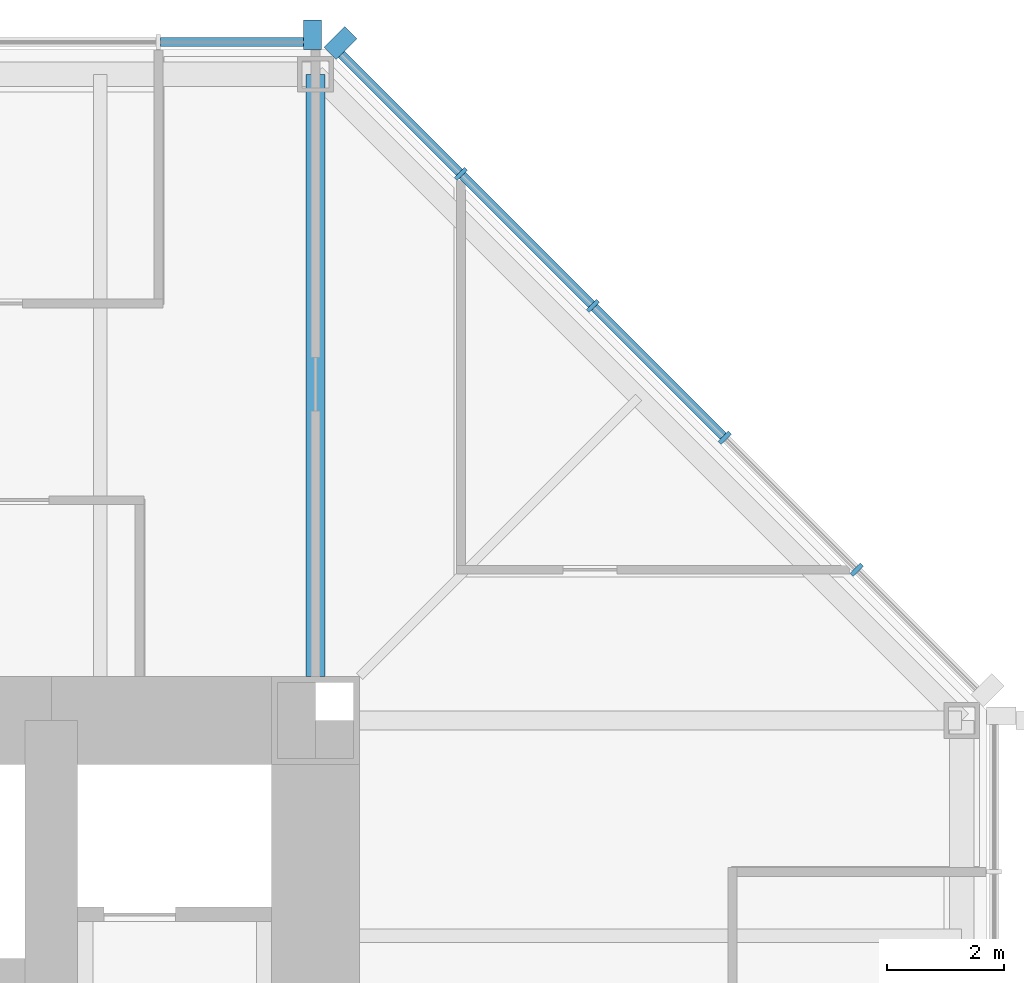
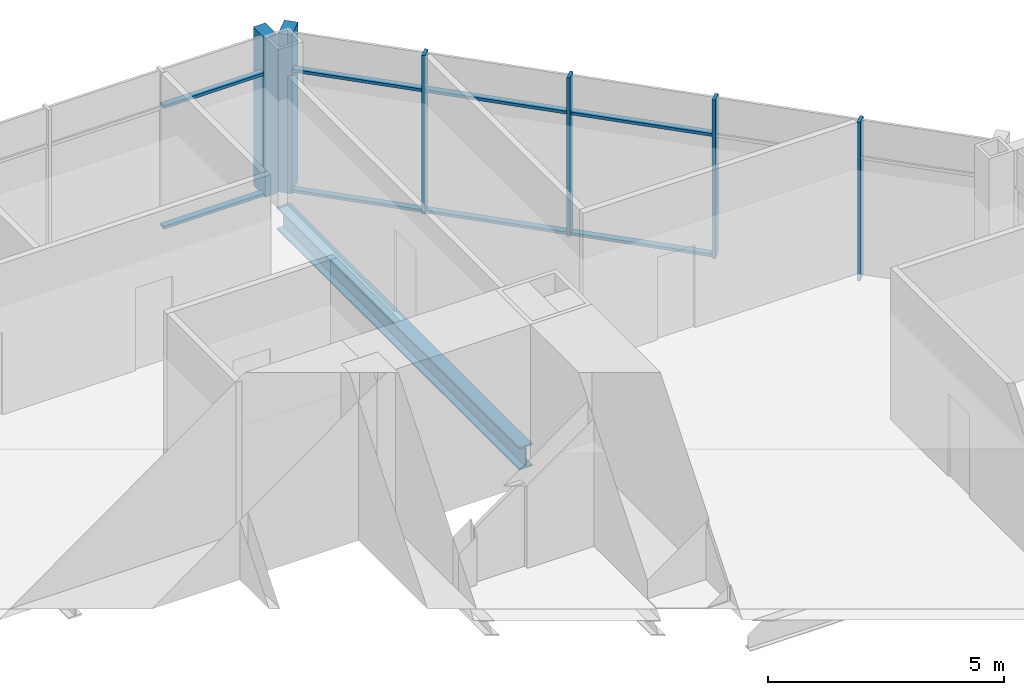
# One storey, part 6 of 12: 14 members, 1 beam, 2 elements without a shape of their own.
"""IFC4 building model written with IfcOpenShell, lengths in metres."""

from ifc_helpers import new_model, si_unit, direction, frame, origin, origin_2d, place, context, subcontext, project, spatial, rectangle, i_section, extrude, material, material_profile, profile_set, type_object, element, aggregate, save


model = new_model("IFC4")

# Units and contexts
model_context = context("Model", 3, precision=1e-05, world=origin(), true_north=direction((0.0, 1.0)))
body_context = subcontext(model_context, "Body", "Model", "MODEL_VIEW")
ifc_project = project(units=[si_unit("LENGTHUNIT", "METRE"), si_unit("AREAUNIT", "SQUARE_METRE"), si_unit("VOLUMEUNIT", "CUBIC_METRE"), si_unit("PLANEANGLEUNIT", "RADIAN"), si_unit("MASSUNIT", "GRAM", prefix="KILO")], contexts=[model_context])

# Site, building, storey
site_placement = place(None, origin())
site = spatial("IfcSite", under=ifc_project, at=site_placement, CompositionType="ELEMENT")
building_placement = place(site_placement, origin())
building = spatial("IfcBuilding", under=site, at=building_placement, Name="Trevanion Tower", CompositionType="ELEMENT")
storey_placement = place(building_placement, frame((0.0, 0.0, 170.5)))
storey = spatial("IfcBuildingStorey", under=building, at=storey_placement, Name="L40", CompositionType="ELEMENT", Elevation=170.5)

# Curtain wall, members
ifc_material_1 = material(Name="Aluminium and glass", Category="aluminium")
curtain_wall_type = type_object("IfcCurtainWallType", Name="CW2 curtain wall", PredefinedType="USERDEFINED", material=ifc_material_1)
curtain_wall_1_placement = place(storey_placement, origin())
curtain_wall_1 = element("IfcCurtainWall", 1, at=curtain_wall_1_placement, inside=storey, type_object=curtain_wall_type, Name="CW2 L40 1", ObjectType="UNITISED CURTAIN WALL", PredefinedType="USERDEFINED")
ifc_material_2 = material(Name="Aluminium extrusion, anodised bronze", Category="aluminium")
ifc_material_profile_1 = material_profile(ifc_material_2, rectangle(XDim=0.074951171875, YDim=0.25, at=origin_2d()), Name="CW2 mullion")
ifc_profile_set_1 = profile_set([ifc_material_profile_1], Name="Aluminium extrusion, anodised bronze")
member_type_1 = type_object("IfcMemberType", Name="CW2 mullion", PredefinedType="MULLION", material=ifc_profile_set_1)
member_1_placement = place(storey_placement, frame((20.2119140625, 13.56591796875, -0.18994140625), z_axis=(0.0, 0.0, 1.0), x_axis=(-0.707106781187, 0.707106781187, 0.0)))
member_1 = element("IfcMember", 2, at=member_1_placement, type_object=member_type_1, Name="CW2 mullion 2", PredefinedType="MULLION", context=body_context, shape_type="SweptSolid", body=[
    extrude(rectangle(XDim=0.074951171875, YDim=0.25, at=origin_2d()), origin(), (0.0, 0.0, 1.0), 4.099853515625),
])
member_2_placement = place(storey_placement, frame((17.966064453125, 15.811767578125, -0.18994140625), z_axis=(0.0, 0.0, 1.0), x_axis=(-0.707106781187, 0.707106781187, 0.0)))
member_2 = element("IfcMember", 3, at=member_2_placement, type_object=member_type_1, Name="CW2 mullion 3", PredefinedType="MULLION", context=body_context, shape_type="SweptSolid", body=[
    extrude(rectangle(XDim=0.074951171875, YDim=0.25, at=origin_2d()), origin(), (0.0, 0.0, 1.0), 4.099853515625),
])
member_3_placement = place(storey_placement, frame((15.719970703125, 18.057861328125, -0.18994140625), z_axis=(0.0, 0.0, 1.0), x_axis=(-0.707106781187, 0.707106781187, 0.0)))
member_3 = element("IfcMember", 4, at=member_3_placement, type_object=member_type_1, Name="CW2 mullion 4", PredefinedType="MULLION", context=body_context, shape_type="SweptSolid", body=[
    extrude(rectangle(XDim=0.074951171875, YDim=0.25, at=origin_2d()), origin(), (0.0, 0.0, 1.0), 4.099853515625),
])
member_4_placement = place(storey_placement, frame((13.473876953125, 20.303955078125, -0.18994140625), z_axis=(0.0, 0.0, 1.0), x_axis=(-0.707106781187, 0.707106781187, 0.0)))
member_4 = element("IfcMember", 5, at=member_4_placement, type_object=member_type_1, Name="CW2 mullion 5", PredefinedType="MULLION", context=body_context, shape_type="SweptSolid", body=[
    extrude(rectangle(XDim=0.074951171875, YDim=0.25, at=origin_2d()), origin(), (0.0, 0.0, 1.0), 4.099853515625),
])
ifc_material_3 = material(Name="Aluminium extrusion, anodised bronze", Category="aluminium")
ifc_material_profile_2 = material_profile(ifc_material_3, rectangle(XDim=0.300048828125, YDim=0.5, at=origin_2d()), Name="CW2 pier mullion")
ifc_profile_set_2 = profile_set([ifc_material_profile_2], Name="Aluminium extrusion, anodised bronze")
member_type_2 = type_object("IfcMemberType", Name="CW2 pier mullion", PredefinedType="MULLION", material=ifc_profile_set_2)
member_5_placement = place(storey_placement, frame((11.42236328125, 22.5322265625, -0.18994140625), z_axis=(0.0, 0.0, 1.0), x_axis=(-0.707106781187, 0.707106781187, 0.0)))
member_5 = element("IfcMember", 6, at=member_5_placement, type_object=member_type_2, Name="CW2 pier mullion 6", PredefinedType="MULLION", context=body_context, shape_type="SweptSolid", body=[
    extrude(rectangle(XDim=0.300048828125, YDim=0.5, at=origin_2d()), origin(), (0.0, 0.0, 1.0), 4.099853515625),
])

# Curtain wall, member
curtain_wall_2_placement = place(storey_placement, origin())
curtain_wall_2 = element("IfcCurtainWall", 7, at=curtain_wall_2_placement, inside=storey, type_object=curtain_wall_type, Name="CW2 L40 2", ObjectType="UNITISED CURTAIN WALL", PredefinedType="USERDEFINED")
member_6_placement = place(storey_placement, frame((10.94775390625, 22.675048828125, -0.18994140625), z_axis=(0.0, 0.0, 1.0), x_axis=(-1.0, 0.0, 0.0)))
member_6 = element("IfcMember", 8, at=member_6_placement, type_object=member_type_2, Name="CW2 pier mullion 1", PredefinedType="MULLION", context=body_context, shape_type="SweptSolid", body=[
    extrude(rectangle(XDim=0.300048828125, YDim=0.5, at=origin_2d()), origin(), (0.0, 0.0, 1.0), 4.099853515625),
])

# Member
ifc_material_4 = material(Name="Aluminium extrusion, anodised bronze", Category="aluminium")
ifc_material_profile_3 = material_profile(ifc_material_4, rectangle(XDim=0.14990234375, YDim=0.074951171875, at=origin_2d()), Name="CW2 transom")
ifc_profile_set_3 = profile_set([ifc_material_profile_3], Name="Aluminium extrusion, anodised bronze")
member_type_3 = type_object("IfcMemberType", Name="CW2 transom", PredefinedType="USERDEFINED", material=ifc_profile_set_3)
member_7_placement = place(storey_placement, frame((17.939453125, 15.83837890625, -0.152587890625), z_axis=(-0.707106781187, 0.707106781187, 0.0), x_axis=(-0.707106781187, -0.707106781187, 0.0)))
member_7 = element("IfcMember", 9, at=member_7_placement, type_object=member_type_3, Name="CW2 transom 3.1", ObjectType="TRANSOM", PredefinedType="USERDEFINED", context=body_context, shape_type="SweptSolid", body=[
    extrude(rectangle(XDim=0.14990234375, YDim=0.074951171875, at=origin_2d()), origin(), (0.0, 0.0, 1.0), 3.1015625),
])

member_8_placement = place(storey_placement, frame((17.939453125, 15.83837890625, 2.9599609375), z_axis=(-0.707106781187, 0.707106781187, 0.0), x_axis=(-0.707106781187, -0.707106781187, 0.0)))
member_8 = element("IfcMember", 10, at=member_8_placement, type_object=member_type_3, Name="CW2 transom 3.2", ObjectType="TRANSOM", PredefinedType="USERDEFINED", context=body_context, shape_type="SweptSolid", body=[
    extrude(rectangle(XDim=0.14990234375, YDim=0.074951171875, at=origin_2d()), origin(), (0.0, 0.0, 1.0), 3.1015625),
])

member_9_placement = place(storey_placement, frame((15.693359375, 18.08447265625, -0.152587890625), z_axis=(-0.707106781187, 0.707106781187, 0.0), x_axis=(-0.707106781187, -0.707106781187, 0.0)))
member_9 = element("IfcMember", 11, at=member_9_placement, type_object=member_type_3, Name="CW2 transom 4.1", ObjectType="TRANSOM", PredefinedType="USERDEFINED", context=body_context, shape_type="SweptSolid", body=[
    extrude(rectangle(XDim=0.14990234375, YDim=0.074951171875, at=origin_2d()), origin(), (0.0, 0.0, 1.0), 3.10107421875),
])

member_10_placement = place(storey_placement, frame((15.693359375, 18.08447265625, 2.9599609375), z_axis=(-0.707106781187, 0.707106781187, 0.0), x_axis=(-0.707106781187, -0.707106781187, 0.0)))
member_10 = element("IfcMember", 12, at=member_10_placement, type_object=member_type_3, Name="CW2 transom 4.2", ObjectType="TRANSOM", PredefinedType="USERDEFINED", context=body_context, shape_type="SweptSolid", body=[
    extrude(rectangle(XDim=0.14990234375, YDim=0.074951171875, at=origin_2d()), origin(), (0.0, 0.0, 1.0), 3.10107421875),
])

member_11_placement = place(storey_placement, frame((13.447509765625, 20.33056640625, -0.152587890625), z_axis=(-0.707149778163, 0.707063781595, 0.0), x_axis=(-0.707063781595, -0.707149778163, 0.0)))
member_11 = element("IfcMember", 13, at=member_11_placement, type_object=member_type_3, Name="CW2 transom 5.1", ObjectType="TRANSOM", PredefinedType="USERDEFINED", context=body_context, shape_type="SweptSolid", body=[
    extrude(rectangle(XDim=0.14990234375, YDim=0.074951171875, at=origin_2d()), origin(), (0.0, 0.0, 1.0), 2.8388671875),
])

member_12_placement = place(storey_placement, frame((13.447509765625, 20.33056640625, 2.9599609375), z_axis=(-0.707149778163, 0.707063781595, 0.0), x_axis=(-0.707063781595, -0.707149778163, 0.0)))
member_12 = element("IfcMember", 14, at=member_12_placement, type_object=member_type_3, Name="CW2 transom 5.2", ObjectType="TRANSOM", PredefinedType="USERDEFINED", context=body_context, shape_type="SweptSolid", body=[
    extrude(rectangle(XDim=0.14990234375, YDim=0.074951171875, at=origin_2d()), origin(), (0.0, 0.0, 1.0), 2.8388671875),
])

aggregate(curtain_wall_1, [member_1, member_2, member_3, member_4, member_5, member_7, member_8, member_9, member_10, member_11, member_12])

member_13_placement = place(storey_placement, frame((10.7978515625, 22.550048828125, -0.152587890625), z_axis=(-1.0, 0.0, 0.0), x_axis=(0.0, -1.0, 0.0)))
member_13 = element("IfcMember", 15, at=member_13_placement, type_object=member_type_3, Name="CW2 transom 1.1", ObjectType="TRANSOM", PredefinedType="USERDEFINED", context=body_context, shape_type="SweptSolid", body=[
    extrude(rectangle(XDim=0.14990234375, YDim=0.074951171875, at=origin_2d()), origin(), (0.0, 0.0, 1.0), 2.43701171875),
])

member_14_placement = place(storey_placement, frame((10.7978515625, 22.550048828125, 2.9599609375), z_axis=(-1.0, 0.0, 0.0), x_axis=(0.0, -1.0, 0.0)))
member_14 = element("IfcMember", 16, at=member_14_placement, type_object=member_type_3, Name="CW2 transom 1.2", ObjectType="TRANSOM", PredefinedType="USERDEFINED", context=body_context, shape_type="SweptSolid", body=[
    extrude(rectangle(XDim=0.14990234375, YDim=0.074951171875, at=origin_2d()), origin(), (0.0, 0.0, 1.0), 2.43701171875),
])

aggregate(curtain_wall_2, [member_6, member_13, member_14])

# Beam
ifc_material_5 = material(Name="Steel ASTM A992 Grade 50", Category="steel")
ifc_material_profile_4 = material_profile(ifc_material_5, i_section(OverallWidth=0.320068359375, OverallDepth=0.584228515625, WebThickness=0.023193359375, FlangeThickness=0.04150390625, at=origin_2d()), Name="W21X201")
ifc_profile_set_4 = profile_set([ifc_material_profile_4], Name="Steel ASTM A992 Grade 50")
beam_type = type_object("IfcBeamType", Name="G4 W21X201", PredefinedType="BEAM", material=ifc_profile_set_4)
beam_placement = place(storey_placement, frame((11.0, 11.75, -0.482177734375), z_axis=(0.0, 1.0, 0.0), x_axis=(-1.0, 0.0, 0.0)))
element("IfcBeam", 17, at=beam_placement, inside=storey, type_object=beam_type, Name="G4 L40", PredefinedType="BEAM", context=body_context, shape_type="SweptSolid", body=[
    extrude(i_section(OverallWidth=0.320068359375, OverallDepth=0.584228515625, WebThickness=0.023193359375, FlangeThickness=0.04150390625, at=origin_2d()), origin(), (0.0, 0.0, 1.0), 10.25),
])

save(model, "model.ifc")
